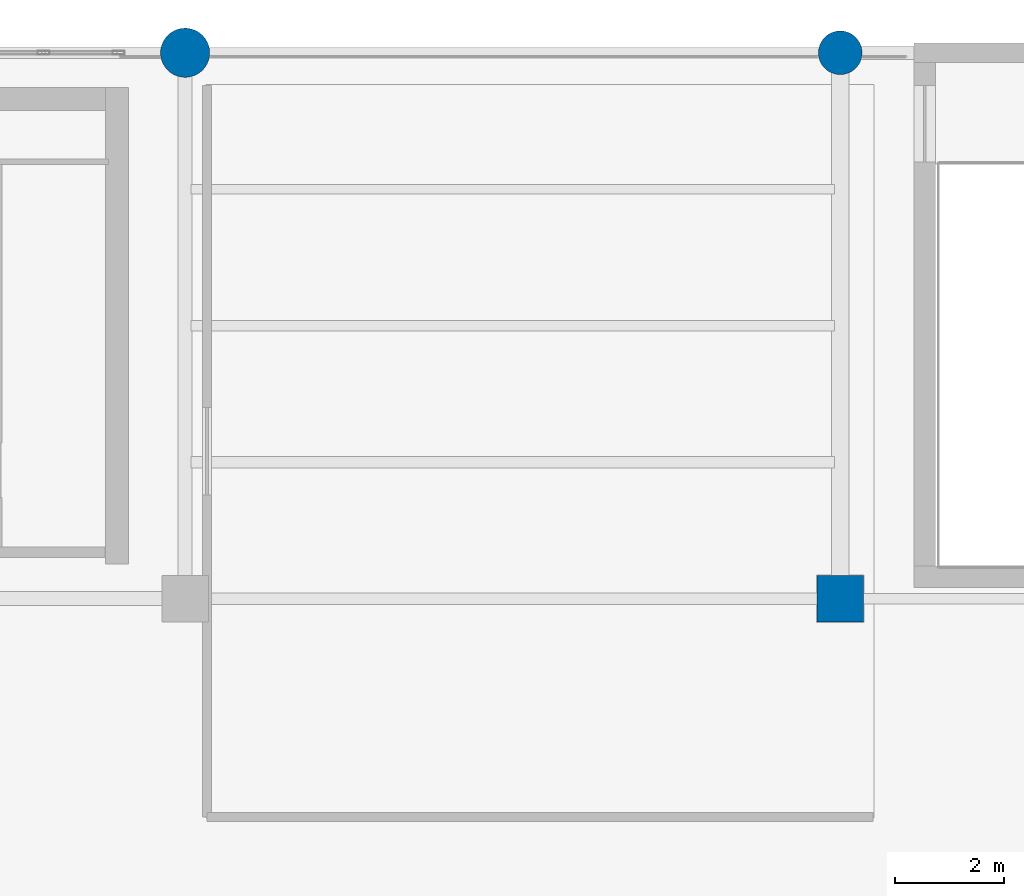
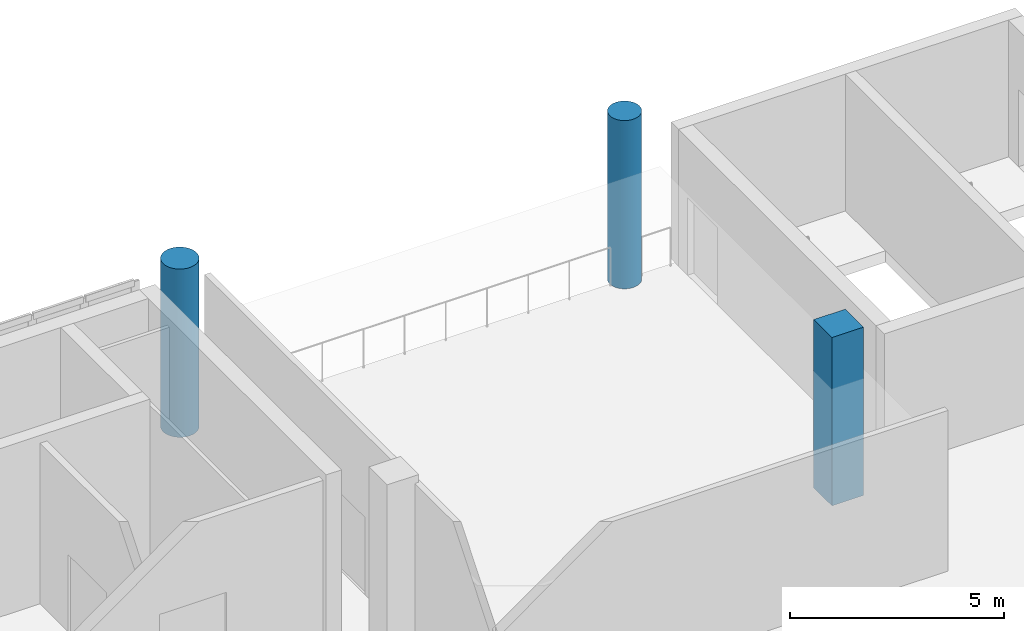
# One storey, part 5 of 49: 3 columns.
"""IFC4 building model written with IfcOpenShell, lengths in metres."""

import ifcopenshell
import ifcopenshell.guid

model = None  # the IFC model being written
_history = None  # IfcOwnerHistory: only IFC2X3 demands one
_inside = {}  # id of a spatial element -> (the spatial element, [elements in it])
_under = {}  # id of a project, library or spatial element -> (it, [spatial elements below it])
_declared = {}  # id of a project -> (the project, [libraries it declares])
_typed = {}  # id of a type object -> (the type object, [elements of that type])
_made_of = {}  # id of a material, layer set ... -> (it, [elements and type objects made of it])


def new_model(schema):
    """Start an empty IFC model of exactly this schema.

    Asked for "IFC4X3", IfcOpenShell would pick the latest addendum, in which some entities
    have other attributes; the version numbers below select the first issue.
    IFC2X3 requires an IfcOwnerHistory on every rooted entity: one is made here for all.
    """
    global model, _history
    if schema == "IFC4X3":
        model = ifcopenshell.file(schema_version=(4, 3, 0, 0))
    else:
        model = ifcopenshell.file(schema=schema)
    _inside.clear()
    _under.clear()
    _declared.clear()
    _typed.clear()
    _made_of.clear()
    _history = None
    if model.schema == "IFC2X3":
        org = make("IfcOrganization", Name="unknown")
        user = make(
            "IfcPersonAndOrganization",
            ThePerson=make("IfcPerson", FamilyName="unknown"),
            TheOrganization=org,
        )
        app = make(
            "IfcApplication",
            ApplicationDeveloper=org,
            Version="unknown",
            ApplicationFullName="unknown",
            ApplicationIdentifier="unknown",
        )
        _history = make(
            "IfcOwnerHistory",
            OwningUser=user,
            OwningApplication=app,
            ChangeAction="ADDED",
            CreationDate=0,
        )
    return model


def make(cls, **values):
    """One entity of the class cls with the attributes given. An attribute that is None is left unset."""
    return model.create_entity(
        cls, **{name: value for name, value in values.items() if value is not None}
    )


def rooted(cls, **values):
    """An entity with a GlobalId (a new one), such as an element, a storey or a relation."""
    return make(cls, GlobalId=ifcopenshell.guid.new(), OwnerHistory=_history, **values)


def si_unit(unit_type, name, prefix=None):
    """IfcSIUnit, for example si_unit("LENGTHUNIT", "METRE", prefix="MILLI")."""
    return make("IfcSIUnit", UnitType=unit_type, Prefix=prefix, Name=name)


def assignment(units):
    """IfcUnitAssignment: the units of a project."""
    return None if units is None else make("IfcUnitAssignment", Units=units)


def point(xyz):
    """IfcCartesianPoint."""
    return None if xyz is None else make("IfcCartesianPoint", Coordinates=xyz)


def direction(xyz):
    """IfcDirection."""
    return None if xyz is None else make("IfcDirection", DirectionRatios=xyz)


def frame(location, z_axis=None, x_axis=None):
    """IfcAxis2Placement3D, a coordinate frame: its origin and axes. An axis left out is left unset."""
    return make(
        "IfcAxis2Placement3D",
        Location=point(location),
        Axis=direction(z_axis),
        RefDirection=direction(x_axis),
    )


def frame_2d(location, x_axis=None):
    """IfcAxis2Placement2D, a coordinate frame in the plane: its origin and x axis."""
    return make(
        "IfcAxis2Placement2D", Location=point(location), RefDirection=direction(x_axis)
    )


def origin():
    """The frame at (0, 0, 0) with its axes left unset."""
    return frame((0.0, 0.0, 0.0))


def origin_2d():
    """The frame at (0, 0) in the plane with its x axis left unset."""
    return frame_2d((0.0, 0.0))


def place(relative_to, where):
    """IfcLocalPlacement: puts the frame where relative to a parent placement (None: the world)."""
    return make(
        "IfcLocalPlacement", PlacementRelTo=relative_to, RelativePlacement=where
    )


def context(
    kind, dimensions, precision=None, world=None, true_north=None, identifier=None
):
    """IfcGeometricRepresentationContext, for example the 3D "Model" context."""
    return make(
        "IfcGeometricRepresentationContext",
        ContextIdentifier=identifier,
        ContextType=kind,
        CoordinateSpaceDimension=dimensions,
        Precision=precision,
        WorldCoordinateSystem=world,
        TrueNorth=true_north,
    )


def subcontext(parent, identifier, kind, view, scale=None):
    """IfcGeometricRepresentationSubContext, for example "Body" below "Model"."""
    return make(
        "IfcGeometricRepresentationSubContext",
        ContextIdentifier=identifier,
        ContextType=kind,
        ParentContext=parent,
        TargetScale=scale,
        TargetView=view,
    )


def project(units=None, contexts=None):
    """IfcProject with its units and contexts."""
    return rooted(
        "IfcProject",
        Name="project",
        RepresentationContexts=contexts,
        UnitsInContext=assignment(units),
    )


def spatial(cls, under=None, at=None, **own):
    """A site, building, storey or space (cls), placed at a placement, below another one or the project."""
    s = rooted(cls, ObjectPlacement=at, **own)
    if under is not None:
        _under.setdefault(under.id(), (under, []))[1].append(s)
    return s


def profile(cls, at=None, kind="AREA", **sizes):
    """A parametric profile (cls). Its sizes go by their IFC names, for example OverallWidth=200.0."""
    return make(cls, ProfileType=kind, Position=at, **sizes)


def rectangle(**sizes):
    """IfcRectangleProfileDef."""
    return profile("IfcRectangleProfileDef", **sizes)


def circle(**sizes):
    """IfcCircleProfileDef."""
    return profile("IfcCircleProfileDef", **sizes)


def extrude(swept, where, along, depth):
    """IfcExtrudedAreaSolid: the profile swept, set in the frame where, extruded along a direction by depth."""
    return make(
        "IfcExtrudedAreaSolid",
        SweptArea=swept,
        Position=where,
        ExtrudedDirection=direction(along),
        Depth=depth,
    )


def shape(context_of_items, identifier, shape_type, items):
    """IfcShapeRepresentation: the items that make up one representation, for example the "Body"."""
    return make(
        "IfcShapeRepresentation",
        ContextOfItems=context_of_items,
        RepresentationIdentifier=identifier,
        RepresentationType=shape_type,
        Items=items,
    )


def material(Name=None, Category=None):
    """IfcMaterial."""
    return make("IfcMaterial", Name=Name, Category=Category)


def material_profile(
    of_material, cross_section, Name=None, Category=None, Priority=None
):
    """IfcMaterialProfile: a cross section and its material."""
    return make(
        "IfcMaterialProfile",
        Name=Name,
        Material=of_material,
        Profile=cross_section,
        Priority=Priority,
        Category=Category,
    )


def profile_set(profiles, Name=None, composite=None):
    """IfcMaterialProfileSet."""
    return make(
        "IfcMaterialProfileSet",
        Name=Name,
        MaterialProfiles=profiles,
        CompositeProfile=composite,
    )


def made_of(thing, what):
    """Note that an element or type object is made of a material, layer set ...; save() writes the relation."""
    if what is not None:
        _made_of.setdefault(what.id(), (what, []))[1].append(thing)
    return thing


def type_object(cls, material=None, **own):
    """A type object (cls), such as IfcWallType, which elements share."""
    return made_of(rooted(cls, **own), material)


def element(
    cls,
    number,
    at=None,
    inside=None,
    cuts=None,
    type_object=None,
    material=None,
    context=None,
    identifier="Body",
    shape_type=None,
    held_by="IfcProductDefinitionShape",
    body=None,
    shapes=None,
    **own,
):
    """One element of the class cls, such as IfcWall. Its Tag is "e" and its number.

    at: its placement. inside: the storey or other place that contains it. cuts: it is an
    opening in that element (IfcRelVoidsElement). A single representation is given by context,
    identifier, shape_type and body (its items); several are given by shapes. held_by: the class
    of the entity that holds the representations. save() writes the other relations.
    """
    e = rooted(cls, Tag="e%d" % number, ObjectPlacement=at, **own)
    if body is not None:
        shapes = [shape(context, identifier, shape_type, body)]
    if shapes is not None:
        e.Representation = make(held_by, Representations=shapes)
    if inside is not None:
        _inside.setdefault(inside.id(), (inside, []))[1].append(e)
    if cuts is not None:
        rooted(
            "IfcRelVoidsElement", RelatingBuildingElement=cuts, RelatedOpeningElement=e
        )
    if type_object is not None:
        _typed.setdefault(type_object.id(), (type_object, []))[1].append(e)
    return made_of(e, material)


def aggregate(whole, parts):
    """IfcRelAggregates: a whole, such as a stair, and the parts it consists of."""
    return rooted("IfcRelAggregates", RelatingObject=whole, RelatedObjects=parts)


def save(model, path):
    """Write the relations noted so far, then the file.

    IfcRelAggregates (storeys below a building ...), IfcRelContainedInSpatialStructure (elements
    in a storey), IfcRelDefinesByType, IfcRelAssociatesMaterial and IfcRelDeclares: one each for
    every whole, place, type object, material and project.
    """
    for whole, parts in _under.values():
        aggregate(whole, parts)
    for where, things in _inside.values():
        rooted(
            "IfcRelContainedInSpatialStructure",
            RelatedElements=things,
            RelatingStructure=where,
        )
    for kind, things in _typed.values():
        rooted("IfcRelDefinesByType", RelatedObjects=things, RelatingType=kind)
    for what, things in _made_of.values():
        rooted("IfcRelAssociatesMaterial", RelatedObjects=things, RelatingMaterial=what)
    for by, libraries in _declared.values():
        rooted("IfcRelDeclares", RelatingContext=by, RelatedDefinitions=libraries)
    model.write(path)


model = new_model("IFC4")

# Units and contexts
model_context = context("Model", 3, precision=1e-05, world=origin(), true_north=direction((0.0, 1.0)))
body_context = subcontext(model_context, "Body", "Model", "MODEL_VIEW")
ifc_project = project(units=[si_unit("LENGTHUNIT", "METRE"), si_unit("AREAUNIT", "SQUARE_METRE"), si_unit("VOLUMEUNIT", "CUBIC_METRE"), si_unit("PLANEANGLEUNIT", "RADIAN"), si_unit("MASSUNIT", "GRAM", prefix="KILO")], contexts=[model_context])

# Site, building, storey
site_placement = place(None, origin())
site = spatial("IfcSite", under=ifc_project, at=site_placement, CompositionType="ELEMENT")
building_placement = place(site_placement, origin())
building = spatial("IfcBuilding", under=site, at=building_placement, Name="Brinegate Civic Arena", CompositionType="ELEMENT")
storey_placement = place(building_placement, frame((0.0, 0.0, 24.60009765625)))
storey = spatial("IfcBuildingStorey", under=building, at=storey_placement, Name="L05", CompositionType="ELEMENT", Elevation=24.60009765625)

# Columns
ifc_material = material(Name="Concrete C50/60", Category="concrete")
ifc_material_profile_1 = material_profile(ifc_material, rectangle(XDim=0.85009765625, YDim=0.85009765625, at=origin_2d()), Name="RC850X850")
ifc_profile_set_1 = profile_set([ifc_material_profile_1], Name="Concrete C50/60")
column_type_1 = type_object("IfcColumnType", Name="COL-CC06-850", PredefinedType="COLUMN", material=ifc_profile_set_1)
column_1_placement = place(storey_placement, frame((108.0, 114.0, 0.0), z_axis=(0.0, 0.0, 1.0), x_axis=(1.0, 0.0, 0.0)))
element("IfcColumn", 1, at=column_1_placement, inside=storey, type_object=column_type_1, Name="Column COL-L05-10-M", PredefinedType="COLUMN", context=body_context, shape_type="SweptSolid", body=[
    extrude(rectangle(XDim=0.85009765625, YDim=0.85009765625, at=origin_2d()), origin(), (0.0, 0.0, 1.0), 4.7998046875),
])
ifc_material_profile_2 = material_profile(ifc_material, circle(Radius=0.449951171875, at=origin_2d()), Name="RCD900")
ifc_profile_set_2 = profile_set([ifc_material_profile_2], Name="Concrete C50/60")
column_type_2 = type_object("IfcColumnType", Name="COL-CC12-D900", PredefinedType="COLUMN", material=ifc_profile_set_2)
column_2_placement = place(storey_placement, frame((96.0, 124.0, 0.0), z_axis=(0.0, 0.0, 1.0), x_axis=(1.0, 0.0, 0.0)))
element("IfcColumn", 2, at=column_2_placement, inside=storey, type_object=column_type_2, Name="Column COL-L05-9-N", PredefinedType="COLUMN", context=body_context, shape_type="SweptSolid", body=[
    extrude(circle(Radius=0.449951171875, at=origin_2d()), origin(), (0.0, 0.0, 1.0), 4.7998046875),
])
ifc_material_profile_3 = material_profile(ifc_material, circle(Radius=0.39990234375, at=origin_2d()), Name="RCD800")
ifc_profile_set_3 = profile_set([ifc_material_profile_3], Name="Concrete C50/60")
column_type_3 = type_object("IfcColumnType", Name="COL-CC13-D800", PredefinedType="COLUMN", material=ifc_profile_set_3)
column_3_placement = place(storey_placement, frame((108.0, 124.0, 0.0), z_axis=(0.0, 0.0, 1.0), x_axis=(1.0, 0.0, 0.0)))
element("IfcColumn", 3, at=column_3_placement, inside=storey, type_object=column_type_3, Name="Column COL-L05-10-N", PredefinedType="COLUMN", context=body_context, shape_type="SweptSolid", body=[
    extrude(circle(Radius=0.39990234375, at=origin_2d()), origin(), (0.0, 0.0, 1.0), 4.7998046875),
])

save(model, "model.ifc")
